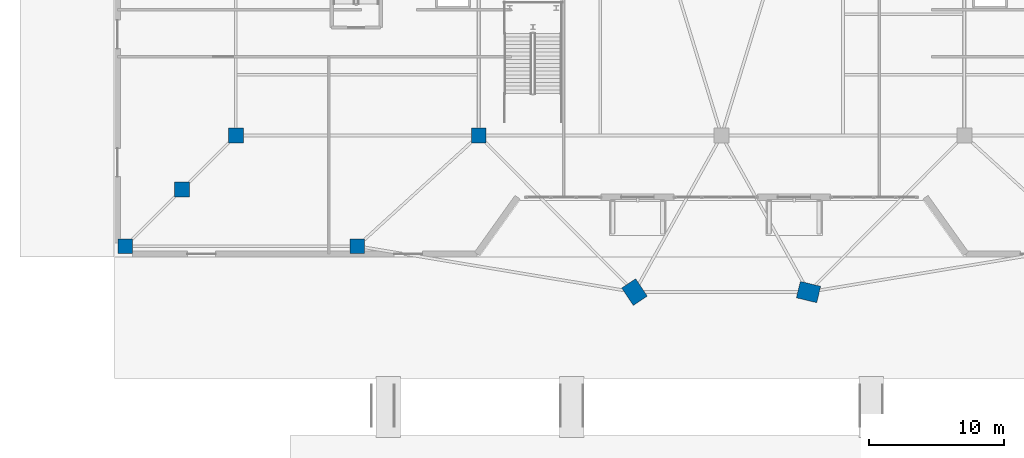
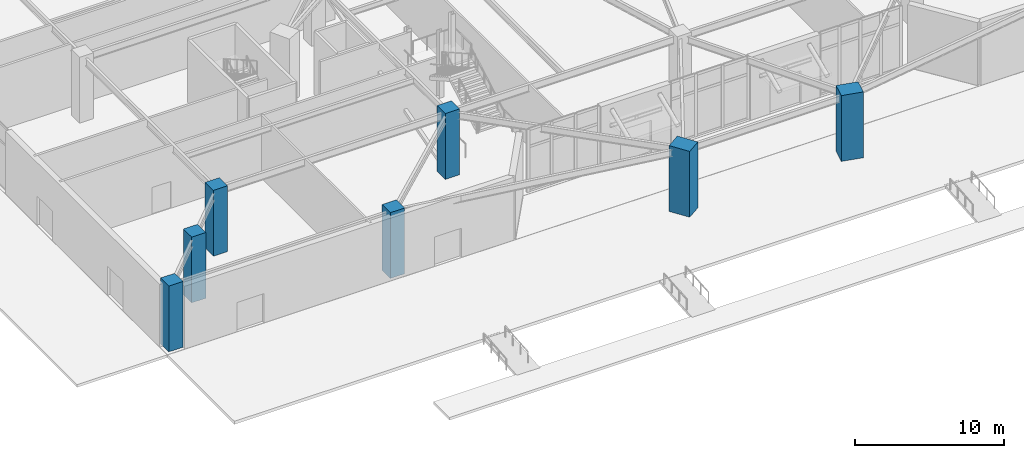
# One storey, part 1 of 30: 7 columns.
"""IFC4 building model written with IfcOpenShell, lengths in metres."""

from ifc_helpers import new_model, si_unit, direction, frame, origin, origin_2d, place, context, subcontext, project, spatial, rectangle, extrude, source, transform, mapped, material, material_profile, profile_set, type_object, element, save


model = new_model("IFC4")

# Units and contexts
model_context = context("Model", 3, precision=1e-05, world=origin(), true_north=direction((0.0, 1.0)))
body_context = subcontext(model_context, "Body", "Model", "MODEL_VIEW")
ifc_project = project(units=[si_unit("LENGTHUNIT", "METRE"), si_unit("AREAUNIT", "SQUARE_METRE"), si_unit("VOLUMEUNIT", "CUBIC_METRE"), si_unit("PLANEANGLEUNIT", "RADIAN"), si_unit("MASSUNIT", "GRAM", prefix="KILO")], contexts=[model_context])

# Site, building, storey
site_placement = place(None, origin())
site = spatial("IfcSite", under=ifc_project, at=site_placement, CompositionType="ELEMENT")
building_placement = place(site_placement, origin())
building = spatial("IfcBuilding", under=site, at=building_placement, Name="Liaohun Quay Tower", CompositionType="ELEMENT")
storey_placement = place(building_placement, origin())
storey = spatial("IfcBuildingStorey", under=building, at=storey_placement, Name="L01", CompositionType="ELEMENT", Elevation=0.0)

# Columns
ifc_material_1 = material(Name="Concrete C60", Category="concrete")
ifc_material_profile_1 = material_profile(ifc_material_1, rectangle(XDim=1.550048828125, YDim=1.25, at=origin_2d()), Name="RC1550x1250")
ifc_profile_set_1 = profile_set([ifc_material_profile_1], Name="Concrete C60")
column_type_1 = type_object("IfcColumnType", Name="COL-PIER-Z1", PredefinedType="COLUMN", material=ifc_profile_set_1)
shared_shape_1 = source(origin(), body_context, "Body", "SweptSolid", [
    extrude(rectangle(XDim=1.550048828125, YDim=1.25, at=origin_2d()), origin(), (0.0, 0.0, 1.0), 5.39990234375),
])
for number, where, z_axis, x_axis, name in (
    (1, (53.5458984375, 12.39697265625, 0.0), (0.0, 0.0, 1.0), (-0.556005513314, 0.831178602446, 0.0), "L01 Tower Mega-Pier PC01"),
    (2, (66.447998046875, 12.39892578125, 0.0), (0.0, 0.0, 1.0), (-0.972043021443, 0.234802820391, 0.0), "L01 Tower Mega-Pier PC11"),
):
    element("IfcColumn", number, at=place(storey_placement, frame(where, z_axis=z_axis, x_axis=x_axis)), inside=storey, type_object=column_type_1, Name=name, PredefinedType="COLUMN", context=body_context, shape_type="MappedRepresentation", body=[
        mapped(shared_shape_1, transform((0.0, 0.0, 0.0), x_axis=(1.0, 0.0, 0.0), y_axis=(0.0, 1.0, 0.0), z_axis=(0.0, 0.0, 1.0), scale=1.0)),
    ])
ifc_material_2 = material(Name="Concrete C55", Category="concrete")
ifc_material_profile_2 = material_profile(ifc_material_2, rectangle(XDim=1.10009765625, YDim=1.10009765625, at=origin_2d()), Name="RC1100x1100")
ifc_profile_set_2 = profile_set([ifc_material_profile_2], Name="Concrete C55")
column_type_2 = type_object("IfcColumnType", Name="COL-POD-P", PredefinedType="COLUMN", material=ifc_profile_set_2)
shared_shape_2 = source(origin(), body_context, "Body", "SweptSolid", [
    extrude(rectangle(XDim=1.10009765625, YDim=1.10009765625, at=origin_2d()), origin(), (0.0, 0.0, 1.0), 5.39990234375),
])
for number, where, z_axis, x_axis, name in (
    (3, (24.0, 24.0, 0.0), (0.0, 0.0, 1.0), (1.0, 0.0, 0.0), "L01 Podium Column PG01"),
    (4, (42.0, 24.0, 0.0), (0.0, 0.0, 1.0), (1.0, 0.0, 0.0), "L01 Podium Column PG02"),
    (5, (15.800048828125, 15.800048828125, 0.0), (0.0, 0.0, 1.0), (1.0, 0.0, 0.0), "L01 Podium Column PT01"),
    (6, (33.0, 15.800048828125, 0.0), (0.0, 0.0, 1.0), (1.0, 0.0, 0.0), "L01 Podium Column PT02"),
    (7, (20.0, 20.0, 0.0), (0.0, 0.0, 1.0), (1.0, 0.0, 0.0), "L01 Podium Column PT05"),
):
    element("IfcColumn", number, at=place(storey_placement, frame(where, z_axis=z_axis, x_axis=x_axis)), inside=storey, type_object=column_type_2, Name=name, PredefinedType="COLUMN", context=body_context, shape_type="MappedRepresentation", body=[
        mapped(shared_shape_2, transform((0.0, 0.0, 0.0), x_axis=(1.0, 0.0, 0.0), y_axis=(0.0, 1.0, 0.0), z_axis=(0.0, 0.0, 1.0), scale=1.0)),
    ])

save(model, "model.ifc")
